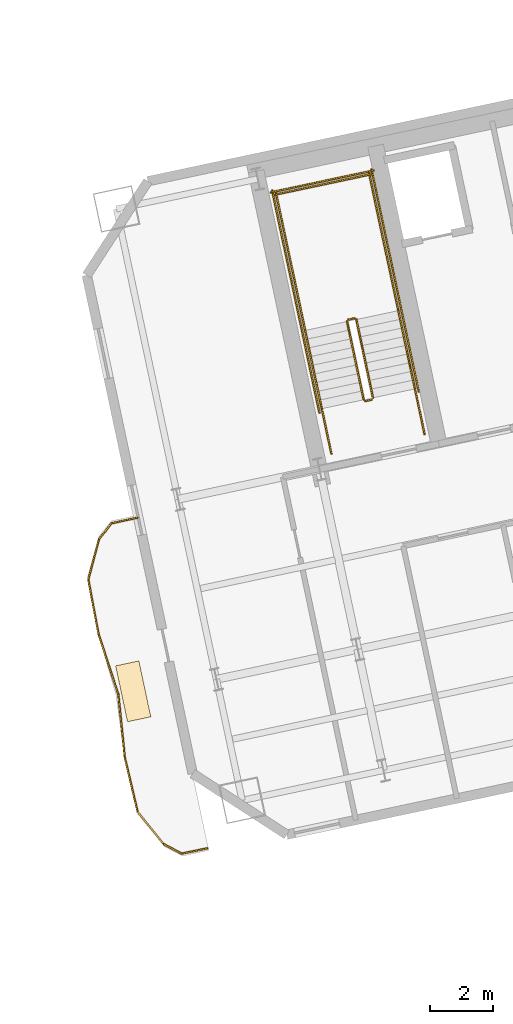
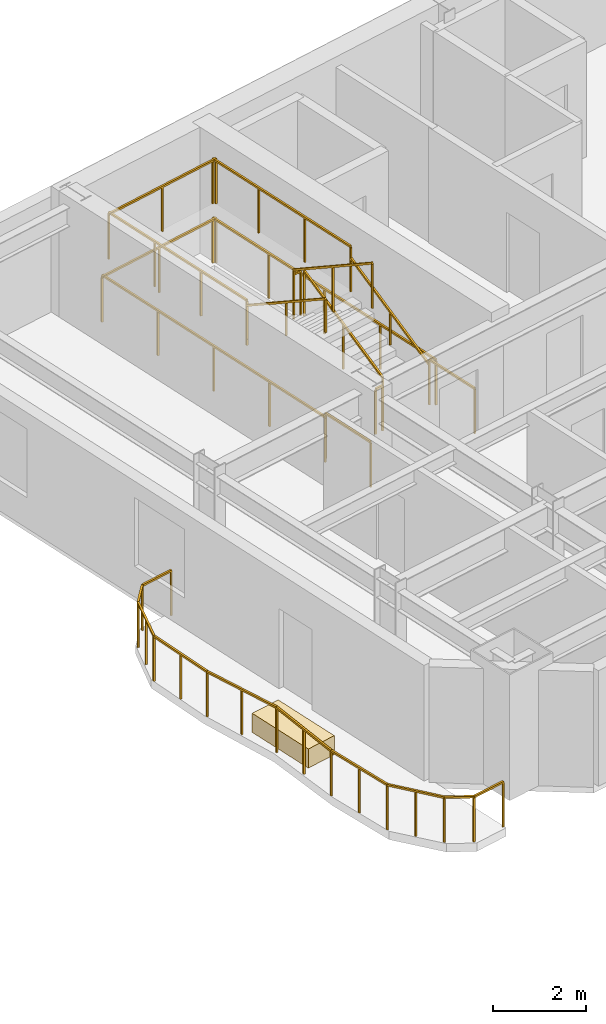
# One storey, part 12 of 13: 24 railings, 1 covering.
"""IFC4 building model written with IfcOpenShell, lengths in metres."""

from ifc_helpers import new_model, si_unit, direction, frame, origin, origin_2d, place, context, subcontext, project, spatial, rectangle, extrude, material, layer, layer_set, type_object, element, save


model = new_model("IFC4")

# Units and contexts
model_context = context("Model", 3, precision=1e-05, world=origin(), true_north=direction((0.0, 1.0)))
body_context = subcontext(model_context, "Body", "Model", "MODEL_VIEW")
ifc_project = project(units=[si_unit("LENGTHUNIT", "METRE"), si_unit("AREAUNIT", "SQUARE_METRE"), si_unit("VOLUMEUNIT", "CUBIC_METRE"), si_unit("PLANEANGLEUNIT", "RADIAN"), si_unit("MASSUNIT", "GRAM", prefix="KILO")], contexts=[model_context])

# Site, building, storey
site_placement = place(None, origin())
site = spatial("IfcSite", under=ifc_project, at=site_placement, CompositionType="ELEMENT")
building_placement = place(site_placement, origin())
building = spatial("IfcBuilding", under=site, at=building_placement, Name="Haevon Station Towers", CompositionType="ELEMENT")
storey_placement = place(building_placement, frame((0.0, 0.0, 149.39990234375)))
storey = spatial("IfcBuildingStorey", under=building, at=storey_placement, Name="L40", CompositionType="ELEMENT", Elevation=149.39990234375)

# Railings
ifc_material_1 = material(Name="Steel S355", Category="steel")
railing_type_1 = type_object("IfcRailingType", Name="GRD-EXT1200", PredefinedType="GUARDRAIL", material=ifc_material_1)
railing_1_placement = place(storey_placement, frame((93.021240234375, 35.91455078125, 0.0)))
element("IfcRailing", 1, at=railing_1_placement, inside=storey, type_object=railing_type_1, Name="L40 Perimeter Guardrail 1", PredefinedType="GUARDRAIL", context=body_context, shape_type="SweptSolid", body=[
    extrude(rectangle(XDim=0.048095703125, YDim=0.048095703125, at=origin_2d()), frame((0.0, 0.0, 1.17578125), z_axis=(-0.977691431104, -0.210046341426, 0.0), x_axis=(0.210046341426, -0.977691431104, 0.0)), (0.0, 0.0, 1.0), 0.838134765625),
    extrude(rectangle(XDim=0.0419921875, YDim=0.0419921875, at=origin_2d()), origin(), (0.0, 0.0, 1.0), 1.15185546875),
    extrude(rectangle(XDim=0.0419921875, YDim=0.0419921875, at=origin_2d()), frame((-0.8193359375, -0.176025390625, 0.0)), (0.0, 0.0, 1.0), 1.15185546875),
])
railing_2_placement = place(storey_placement, frame((92.201904296875, 35.738525390625, 0.0)))
element("IfcRailing", 2, at=railing_2_placement, inside=storey, type_object=railing_type_1, Name="L40 Perimeter Guardrail 2", PredefinedType="GUARDRAIL", context=body_context, shape_type="SweptSolid", body=[
    extrude(rectangle(XDim=0.048095703125, YDim=0.048095703125, at=origin_2d()), frame((0.0, 0.0, 1.17578125), z_axis=(-0.615866023328, -0.787850900431, 0.0), x_axis=(0.787850900431, -0.615866023328, 0.0)), (0.0, 0.0, 1.0), 0.64013671875),
    extrude(rectangle(XDim=0.0419921875, YDim=0.0419921875, at=origin_2d()), origin(), (0.0, 0.0, 1.0), 1.15185546875),
    extrude(rectangle(XDim=0.0419921875, YDim=0.0419921875, at=origin_2d()), frame((-0.394287109375, -0.50439453125, 0.0)), (0.0, 0.0, 1.0), 1.15185546875),
])
railing_3_placement = place(storey_placement, frame((91.8076171875, 35.234130859375, 0.0)))
element("IfcRailing", 3, at=railing_3_placement, inside=storey, type_object=railing_type_1, Name="L40 Perimeter Guardrail 3", PredefinedType="GUARDRAIL", context=body_context, shape_type="SweptSolid", body=[
    extrude(rectangle(XDim=0.048095703125, YDim=0.048095703125, at=origin_2d()), frame((0.0, 0.0, 1.17578125), z_axis=(-0.256967200825, -0.966420124842, 0.0), x_axis=(0.966420124842, -0.256967200825, 0.0)), (0.0, 0.0, 1.0), 1.31103515625),
    extrude(rectangle(XDim=0.0419921875, YDim=0.0419921875, at=origin_2d()), origin(), (0.0, 0.0, 1.0), 1.15185546875),
    extrude(rectangle(XDim=0.0419921875, YDim=0.0419921875, at=origin_2d()), frame((-0.16845703125, -0.633544921875, 0.0)), (0.0, 0.0, 1.0), 1.15185546875),
    extrude(rectangle(XDim=0.0419921875, YDim=0.0419921875, at=origin_2d()), frame((-0.3369140625, -1.26708984375, 0.0)), (0.0, 0.0, 1.0), 1.15185546875),
])
railing_4_placement = place(storey_placement, frame((91.470703125, 33.967041015625, 0.0)))
element("IfcRailing", 4, at=railing_4_placement, inside=storey, type_object=railing_type_1, Name="L40 Perimeter Guardrail 4", PredefinedType="GUARDRAIL", context=body_context, shape_type="SweptSolid", body=[
    extrude(rectangle(XDim=0.048095703125, YDim=0.048095703125, at=origin_2d()), frame((0.0, 0.0, 1.17578125), z_axis=(0.184962759631, -0.982745530415, 0.0), x_axis=(0.982745530415, 0.184962759631, 0.0)), (0.0, 0.0, 1.0), 1.7490234375),
    extrude(rectangle(XDim=0.0419921875, YDim=0.0419921875, at=origin_2d()), origin(), (0.0, 0.0, 1.0), 1.15185546875),
    extrude(rectangle(XDim=0.0419921875, YDim=0.0419921875, at=origin_2d()), frame((0.16162109375, -0.859375, 0.0)), (0.0, 0.0, 1.0), 1.15185546875),
    extrude(rectangle(XDim=0.0419921875, YDim=0.0419921875, at=origin_2d()), frame((0.323486328125, -1.71875, 0.0)), (0.0, 0.0, 1.0), 1.15185546875),
])
railing_5_placement = place(storey_placement, frame((91.794189453125, 32.248291015625, 0.0)))
element("IfcRailing", 5, at=railing_5_placement, inside=storey, type_object=railing_type_1, Name="L40 Perimeter Guardrail 5", PredefinedType="GUARDRAIL", context=body_context, shape_type="SweptSolid", body=[
    extrude(rectangle(XDim=0.048095703125, YDim=0.048095703125, at=origin_2d()), frame((0.0, 0.0, 1.17578125), z_axis=(0.31161563474, -0.950208238328, 0.0), x_axis=(0.950208238328, 0.31161563474, 0.0)), (0.0, 0.0, 1.0), 2.00244140625),
    extrude(rectangle(XDim=0.0419921875, YDim=0.0419921875, at=origin_2d()), origin(), (0.0, 0.0, 1.0), 1.15185546875),
    extrude(rectangle(XDim=0.0419921875, YDim=0.0419921875, at=origin_2d()), frame((0.31201171875, -0.951416015625, 0.0)), (0.0, 0.0, 1.0), 1.15185546875),
    extrude(rectangle(XDim=0.0419921875, YDim=0.0419921875, at=origin_2d()), frame((0.6240234375, -1.90283203125, 0.0)), (0.0, 0.0, 1.0), 1.15185546875),
])
railing_6_placement = place(storey_placement, frame((92.418212890625, 30.345458984375, 0.0)))
element("IfcRailing", 6, at=railing_6_placement, inside=storey, type_object=railing_type_1, Name="L40 Perimeter Guardrail 6", PredefinedType="GUARDRAIL", context=body_context, shape_type="SweptSolid", body=[
    extrude(rectangle(XDim=0.048095703125, YDim=0.048095703125, at=origin_2d()), frame((0.0, 0.0, 1.17578125), z_axis=(0.101796856362, -0.994805207081, 0.0), x_axis=(0.994805207081, 0.101796856362, 0.0)), (0.0, 0.0, 1.0), 2.002685546875),
    extrude(rectangle(XDim=0.0419921875, YDim=0.0419921875, at=origin_2d()), origin(), (0.0, 0.0, 1.0), 1.15185546875),
    extrude(rectangle(XDim=0.0419921875, YDim=0.0419921875, at=origin_2d()), frame((0.10205078125, -0.99609375, 0.0)), (0.0, 0.0, 1.0), 1.15185546875),
    extrude(rectangle(XDim=0.0419921875, YDim=0.0419921875, at=origin_2d()), frame((0.203857421875, -1.9921875, 0.0)), (0.0, 0.0, 1.0), 1.15185546875),
])
railing_7_placement = place(storey_placement, frame((92.6220703125, 28.353271484375, 0.0)))
element("IfcRailing", 7, at=railing_7_placement, inside=storey, type_object=railing_type_1, Name="L40 Perimeter Guardrail 7", PredefinedType="GUARDRAIL", context=body_context, shape_type="SweptSolid", body=[
    extrude(rectangle(XDim=0.048095703125, YDim=0.048095703125, at=origin_2d()), frame((0.0, 0.0, 1.17578125), z_axis=(0.230727231711, -0.973018470815, 0.0), x_axis=(0.973018470815, 0.230727231711, 0.0)), (0.0, 0.0, 1.0), 1.7490234375),
    extrude(rectangle(XDim=0.0419921875, YDim=0.0419921875, at=origin_2d()), origin(), (0.0, 0.0, 1.0), 1.15185546875),
    extrude(rectangle(XDim=0.0419921875, YDim=0.0419921875, at=origin_2d()), frame((0.20166015625, -0.85107421875, 0.0)), (0.0, 0.0, 1.0), 1.15185546875),
    extrude(rectangle(XDim=0.0419921875, YDim=0.0419921875, at=origin_2d()), frame((0.403564453125, -1.701904296875, 0.0)), (0.0, 0.0, 1.0), 1.15185546875),
])
railing_8_placement = place(storey_placement, frame((93.025634765625, 26.6513671875, 0.0)))
element("IfcRailing", 8, at=railing_8_placement, inside=storey, type_object=railing_type_1, Name="L40 Perimeter Guardrail 8", PredefinedType="GUARDRAIL", context=body_context, shape_type="SweptSolid", body=[
    extrude(rectangle(XDim=0.048095703125, YDim=0.048095703125, at=origin_2d()), frame((0.0, 0.0, 1.17578125), z_axis=(0.62786890768, -0.778319108572, 0.0), x_axis=(0.778319108572, 0.62786890768, 0.0)), (0.0, 0.0, 1.0), 1.311279296875),
    extrude(rectangle(XDim=0.0419921875, YDim=0.0419921875, at=origin_2d()), origin(), (0.0, 0.0, 1.0), 1.15185546875),
    extrude(rectangle(XDim=0.0419921875, YDim=0.0419921875, at=origin_2d()), frame((0.41162109375, -0.51025390625, 0.0)), (0.0, 0.0, 1.0), 1.15185546875),
    extrude(rectangle(XDim=0.0419921875, YDim=0.0419921875, at=origin_2d()), frame((0.8232421875, -1.0205078125, 0.0)), (0.0, 0.0, 1.0), 1.15185546875),
])
railing_9_placement = place(storey_placement, frame((93.848876953125, 25.630859375, 0.0)))
element("IfcRailing", 9, at=railing_9_placement, inside=storey, type_object=railing_type_1, Name="L40 Perimeter Guardrail 9", PredefinedType="GUARDRAIL", context=body_context, shape_type="SweptSolid", body=[
    extrude(rectangle(XDim=0.048095703125, YDim=0.048095703125, at=origin_2d()), frame((0.0, 0.0, 1.17578125), z_axis=(0.883174960407, -0.469043696589, 0.0), x_axis=(0.469043696589, 0.883174960407, 0.0)), (0.0, 0.0, 1.0), 0.64013671875),
    extrude(rectangle(XDim=0.0419921875, YDim=0.0419921875, at=origin_2d()), origin(), (0.0, 0.0, 1.0), 1.15185546875),
    extrude(rectangle(XDim=0.0419921875, YDim=0.0419921875, at=origin_2d()), frame((0.5654296875, -0.30029296875, 0.0)), (0.0, 0.0, 1.0), 1.15185546875),
])
railing_10_placement = place(storey_placement, frame((94.414306640625, 25.33056640625, 0.0)))
element("IfcRailing", 10, at=railing_10_placement, inside=storey, type_object=railing_type_1, Name="L40 Perimeter Guardrail 10", PredefinedType="GUARDRAIL", context=body_context, shape_type="SweptSolid", body=[
    extrude(rectangle(XDim=0.048095703125, YDim=0.048095703125, at=origin_2d()), frame((0.0, 0.0, 1.17578125), z_axis=(0.978617737227, 0.20568744343, 0.0), x_axis=(-0.20568744343, 0.978617737227, 0.0)), (0.0, 0.0, 1.0), 0.837890625),
    extrude(rectangle(XDim=0.0419921875, YDim=0.0419921875, at=origin_2d()), origin(), (0.0, 0.0, 1.0), 1.15185546875),
    extrude(rectangle(XDim=0.0419921875, YDim=0.0419921875, at=origin_2d()), frame((0.820068359375, 0.17236328125, 0.0)), (0.0, 0.0, 1.0), 1.15185546875),
])
railing_type_2 = type_object("IfcRailingType", Name="GRD-STR1200", PredefinedType="GUARDRAIL", material=ifc_material_1)
railing_11_placement = place(storey_placement, frame((100.44140625, 39.69287109375, 0.1650390625)))
element("IfcRailing", 11, at=railing_11_placement, inside=storey, type_object=railing_type_2, Name="L40 ST3 Stair Guard 1", PredefinedType="GUARDRAIL", context=body_context, shape_type="SweptSolid", body=[
    extrude(rectangle(XDim=0.048095703125, YDim=0.048095703125, at=origin_2d()), frame((0.0, 0.0, 1.17578125), z_axis=(-0.179121265225, 0.842687928106, 0.507732831485), x_axis=(-0.978147030254, -0.207914374695, 0.0)), (0.0, 0.0, 1.0), 2.925048828125),
    extrude(rectangle(XDim=0.0419921875, YDim=0.0419921875, at=origin_2d()), origin(), (0.0, 0.0, 1.0), 1.15185546875),
    extrude(rectangle(XDim=0.0419921875, YDim=0.0419921875, at=origin_2d()), frame((-0.261962890625, 1.232421875, 0.74267578125)), (0.0, 0.0, 1.0), 1.15185546875),
    extrude(rectangle(XDim=0.0419921875, YDim=0.0419921875, at=origin_2d()), frame((-0.52392578125, 2.46484375, 1.485107421875)), (0.0, 0.0, 1.0), 1.15185546875),
])
railing_12_placement = place(storey_placement, frame((99.858154296875, 42.1962890625, 1.650146484375)))
element("IfcRailing", 12, at=railing_12_placement, inside=storey, type_object=railing_type_2, Name="L40 ST3 Stair Guard 2", PredefinedType="GUARDRAIL", context=body_context, shape_type="SweptSolid", body=[
    extrude(rectangle(XDim=0.048095703125, YDim=0.048095703125, at=origin_2d()), frame((0.0, 0.0, 1.17578125), z_axis=(-0.977962931203, -0.208778603291, 0.0), x_axis=(0.208778603291, -0.977962931203, 0.0)), (0.0, 0.0, 1.0), 0.199951171875),
    extrude(rectangle(XDim=0.0419921875, YDim=0.0419921875, at=origin_2d()), origin(), (0.0, 0.0, 1.0), 1.15185546875),
    extrude(rectangle(XDim=0.0419921875, YDim=0.0419921875, at=origin_2d()), frame((-0.195556640625, -0.041748046875, 0.0)), (0.0, 0.0, 1.0), 1.15185546875),
])
railing_13_placement = place(storey_placement, frame((101.238037109375, 42.4384765625, 1.650146484375)))
element("IfcRailing", 13, at=railing_13_placement, inside=storey, type_object=railing_type_2, Name="L40 ST3 Stair Guard 3", PredefinedType="GUARDRAIL", context=body_context, shape_type="SweptSolid", body=[
    extrude(rectangle(XDim=0.048095703125, YDim=0.048095703125, at=origin_2d()), frame((0.0, 0.0, 1.17578125), z_axis=(-0.20794048909, 0.978141479029, 0.0), x_axis=(-0.978141479029, -0.20794048909, 0.0)), (0.0, 0.0, 1.0), 4.429931640625),
    extrude(rectangle(XDim=0.0419921875, YDim=0.0419921875, at=origin_2d()), origin(), (0.0, 0.0, 1.0), 1.15185546875),
    extrude(rectangle(XDim=0.0419921875, YDim=0.0419921875, at=origin_2d()), frame((-0.30712890625, 1.4443359375, 0.0)), (0.0, 0.0, 1.0), 1.15185546875),
    extrude(rectangle(XDim=0.0419921875, YDim=0.0419921875, at=origin_2d()), frame((-0.614013671875, 2.888671875, 0.0)), (0.0, 0.0, 1.0), 1.15185546875),
    extrude(rectangle(XDim=0.0419921875, YDim=0.0419921875, at=origin_2d()), frame((-0.921142578125, 4.3330078125, 0.0)), (0.0, 0.0, 1.0), 1.15185546875),
])
railing_14_placement = place(storey_placement, frame((98.303466796875, 41.814697265625, 1.650146484375)))
element("IfcRailing", 14, at=railing_14_placement, inside=storey, type_object=railing_type_2, Name="L40 ST3 Stair Guard 4", PredefinedType="GUARDRAIL", context=body_context, shape_type="SweptSolid", body=[
    extrude(rectangle(XDim=0.048095703125, YDim=0.048095703125, at=origin_2d()), frame((0.0, 0.0, 1.17578125), z_axis=(-0.207876551949, 0.978155069071, 0.0), x_axis=(-0.978155069071, -0.207876551949, 0.0)), (0.0, 0.0, 1.0), 4.429931640625),
    extrude(rectangle(XDim=0.0419921875, YDim=0.0419921875, at=origin_2d()), origin(), (0.0, 0.0, 1.0), 1.15185546875),
    extrude(rectangle(XDim=0.0419921875, YDim=0.0419921875, at=origin_2d()), frame((-0.306884765625, 1.4443359375, 0.0)), (0.0, 0.0, 1.0), 1.15185546875),
    extrude(rectangle(XDim=0.0419921875, YDim=0.0419921875, at=origin_2d()), frame((-0.614013671875, 2.888916015625, 0.0)), (0.0, 0.0, 1.0), 1.15185546875),
    extrude(rectangle(XDim=0.0419921875, YDim=0.0419921875, at=origin_2d()), frame((-0.9208984375, 4.333251953125, 0.0)), (0.0, 0.0, 1.0), 1.15185546875),
])
railing_15_placement = place(storey_placement, frame((100.376220703125, 46.733154296875, 1.650146484375)))
element("IfcRailing", 15, at=railing_15_placement, inside=storey, type_object=railing_type_2, Name="L40 ST3 Stair Guard 5", PredefinedType="GUARDRAIL", context=body_context, shape_type="SweptSolid", body=[
    extrude(rectangle(XDim=0.048095703125, YDim=0.048095703125, at=origin_2d()), frame((0.0, 0.0, 1.17578125), z_axis=(-0.978146839882, -0.207915270313, 0.0), x_axis=(0.207915270313, -0.978146839882, 0.0)), (0.0, 0.0, 1.0), 3.099853515625),
    extrude(rectangle(XDim=0.0419921875, YDim=0.0419921875, at=origin_2d()), origin(), (0.0, 0.0, 1.0), 1.15185546875),
    extrude(rectangle(XDim=0.0419921875, YDim=0.0419921875, at=origin_2d()), frame((-1.51611328125, -0.322265625, 0.0)), (0.0, 0.0, 1.0), 1.15185546875),
    extrude(rectangle(XDim=0.0419921875, YDim=0.0419921875, at=origin_2d()), frame((-3.0322265625, -0.64453125, 0.0)), (0.0, 0.0, 1.0), 1.15185546875),
])
railing_16_placement = place(storey_placement, frame((99.6240234375, 42.09521484375, 1.815185546875)))
element("IfcRailing", 16, at=railing_16_placement, inside=storey, type_object=railing_type_2, Name="L40 ST3 Stair Guard 6", PredefinedType="GUARDRAIL", context=body_context, shape_type="SweptSolid", body=[
    extrude(rectangle(XDim=0.048095703125, YDim=0.048095703125, at=origin_2d()), frame((0.0, 0.0, 1.17578125), z_axis=(0.179128856099, -0.842723639875, 0.507670877349), x_axis=(0.978147030254, 0.207914374695, 0.0)), (0.0, 0.0, 1.0), 2.9248046875),
    extrude(rectangle(XDim=0.0419921875, YDim=0.0419921875, at=origin_2d()), origin(), (0.0, 0.0, 1.0), 1.15185546875),
    extrude(rectangle(XDim=0.0419921875, YDim=0.0419921875, at=origin_2d()), frame((0.261962890625, -1.232421875, 0.742431640625)), (0.0, 0.0, 1.0), 1.15185546875),
    extrude(rectangle(XDim=0.0419921875, YDim=0.0419921875, at=origin_2d()), frame((0.52392578125, -2.46484375, 1.48486328125)), (0.0, 0.0, 1.0), 1.15185546875),
])
railing_17_placement = place(storey_placement, frame((100.40283203125, 39.633544921875, 0.0)))
element("IfcRailing", 17, at=railing_17_placement, inside=storey, type_object=railing_type_2, Name="L40 ST3 Stair Guard 7", PredefinedType="GUARDRAIL", context=body_context, shape_type="SweptSolid", body=[
    extrude(rectangle(XDim=0.048095703125, YDim=0.048095703125, at=origin_2d()), frame((0.0, 0.0, 1.17578125), z_axis=(-0.977962931203, -0.208778603291, 0.0), x_axis=(0.208778603291, -0.977962931203, 0.0)), (0.0, 0.0, 1.0), 0.199951171875),
    extrude(rectangle(XDim=0.0419921875, YDim=0.0419921875, at=origin_2d()), origin(), (0.0, 0.0, 1.0), 1.15185546875),
    extrude(rectangle(XDim=0.0419921875, YDim=0.0419921875, at=origin_2d()), frame((-0.195556640625, -0.041748046875, 0.0)), (0.0, 0.0, 1.0), 1.15185546875),
])
for number, where, name in (
    (18, (102.0634765625, 38.55517578125, 0.0), "L40 ST3 Stair Guard 8"),
    (19, (99.12890625, 37.931396484375, 0.0), "L40 ST3 Stair Guard 9"),
):
    element("IfcRailing", number, at=place(storey_placement, frame(where)), inside=storey, type_object=railing_type_2, Name=name, PredefinedType="GUARDRAIL", context=body_context, shape_type="SweptSolid", body=[
        extrude(rectangle(XDim=0.048095703125, YDim=0.048095703125, at=origin_2d()), frame((0.0, 0.0, 1.17578125), z_axis=(-0.207953405961, 0.978138732977, 0.0), x_axis=(-0.978138732977, -0.207953405961, 0.0)), (0.0, 0.0, 1.0), 1.449951171875),
        extrude(rectangle(XDim=0.0419921875, YDim=0.0419921875, at=origin_2d()), origin(), (0.0, 0.0, 1.0), 1.15185546875),
        extrude(rectangle(XDim=0.0419921875, YDim=0.0419921875, at=origin_2d()), frame((-0.301513671875, 1.418212890625, 0.0)), (0.0, 0.0, 1.0), 1.15185546875),
    ])
railing_18_placement = place(storey_placement, frame((101.88037109375, 39.896484375, 0.0)))
element("IfcRailing", 20, at=railing_18_placement, inside=storey, type_object=railing_type_2, Name="L40 ST3 Stair Guard 10", PredefinedType="GUARDRAIL", context=body_context, shape_type="SweptSolid", body=[
    extrude(rectangle(XDim=0.048095703125, YDim=0.048095703125, at=origin_2d()), frame((0.0, 0.0, 1.17578125), z_axis=(-0.207882442208, 0.978153817261, 0.0), x_axis=(-0.978153817261, -0.207882442208, 0.0)), (0.0, 0.0, 1.0), 7.14990234375),
    extrude(rectangle(XDim=0.0419921875, YDim=0.0419921875, at=origin_2d()), origin(), (0.0, 0.0, 1.0), 1.15185546875),
    extrude(rectangle(XDim=0.0419921875, YDim=0.0419921875, at=origin_2d()), frame((-0.37158203125, 1.74853515625, 0.0)), (0.0, 0.0, 1.0), 1.15185546875),
    extrude(rectangle(XDim=0.0419921875, YDim=0.0419921875, at=origin_2d()), frame((-0.7431640625, 3.496826171875, 0.0)), (0.0, 0.0, 1.0), 1.15185546875),
    extrude(rectangle(XDim=0.0419921875, YDim=0.0419921875, at=origin_2d()), frame((-1.11474609375, 5.2451171875, 0.0)), (0.0, 0.0, 1.0), 1.15185546875),
    extrude(rectangle(XDim=0.0419921875, YDim=0.0419921875, at=origin_2d()), frame((-1.486328125, 6.99365234375, 0.0)), (0.0, 0.0, 1.0), 1.15185546875),
])
railing_19_placement = place(storey_placement, frame((98.75048828125, 39.231201171875, 0.0)))
element("IfcRailing", 21, at=railing_19_placement, inside=storey, type_object=railing_type_2, Name="L40 ST3 Stair Guard 11", PredefinedType="GUARDRAIL", context=body_context, shape_type="SweptSolid", body=[
    extrude(rectangle(XDim=0.048095703125, YDim=0.048095703125, at=origin_2d()), frame((0.0, 0.0, 1.17578125), z_axis=(-0.207915112487, 0.978146873429, 0.0), x_axis=(-0.978146873429, -0.207915112487, 0.0)), (0.0, 0.0, 1.0), 7.14990234375),
    extrude(rectangle(XDim=0.0419921875, YDim=0.0419921875, at=origin_2d()), origin(), (0.0, 0.0, 1.0), 1.15185546875),
    extrude(rectangle(XDim=0.0419921875, YDim=0.0419921875, at=origin_2d()), frame((-0.37158203125, 1.74853515625, 0.0)), (0.0, 0.0, 1.0), 1.15185546875),
    extrude(rectangle(XDim=0.0419921875, YDim=0.0419921875, at=origin_2d()), frame((-0.7431640625, 3.496826171875, 0.0)), (0.0, 0.0, 1.0), 1.15185546875),
    extrude(rectangle(XDim=0.0419921875, YDim=0.0419921875, at=origin_2d()), frame((-1.114990234375, 5.2451171875, 0.0)), (0.0, 0.0, 1.0), 1.15185546875),
    extrude(rectangle(XDim=0.0419921875, YDim=0.0419921875, at=origin_2d()), frame((-1.486572265625, 6.99365234375, 0.0)), (0.0, 0.0, 1.0), 1.15185546875),
])
railing_20_placement = place(storey_placement, frame((100.453125, 46.8515625, 0.0)))
element("IfcRailing", 22, at=railing_20_placement, inside=storey, type_object=railing_type_2, Name="L40 ST3 Stair Guard 12", PredefinedType="GUARDRAIL", context=body_context, shape_type="SweptSolid", body=[
    extrude(rectangle(XDim=0.048095703125, YDim=0.048095703125, at=origin_2d()), frame((0.0, 0.0, 1.17578125), z_axis=(-0.978150764849, -0.207896804268, 0.0), x_axis=(0.207896804268, -0.978150764849, 0.0)), (0.0, 0.0, 1.0), 3.2998046875),
    extrude(rectangle(XDim=0.0419921875, YDim=0.0419921875, at=origin_2d()), origin(), (0.0, 0.0, 1.0), 1.15185546875),
    extrude(rectangle(XDim=0.0419921875, YDim=0.0419921875, at=origin_2d()), frame((-1.61376953125, -0.343017578125, 0.0)), (0.0, 0.0, 1.0), 1.15185546875),
    extrude(rectangle(XDim=0.0419921875, YDim=0.0419921875, at=origin_2d()), frame((-3.227783203125, -0.68603515625, 0.0)), (0.0, 0.0, 1.0), 1.15185546875),
])
railing_type_3 = type_object("IfcRailingType", Name="HND-STR900", PredefinedType="HANDRAIL", material=ifc_material_1)
railing_21_placement = place(storey_placement, frame((101.761962890625, 39.973388671875, 0.1650390625)))
element("IfcRailing", 23, at=railing_21_placement, inside=storey, type_object=railing_type_3, Name="L40 ST3 Stair Handrail 1", PredefinedType="HANDRAIL", context=body_context, shape_type="SweptSolid", body=[
    extrude(rectangle(XDim=0.048095703125, YDim=0.048095703125, at=origin_2d()), frame((0.0, 0.0, 0.8759765625), z_axis=(-0.179108667068, 0.842712120868, 0.50769712105), x_axis=(-0.978151217824, -0.207894673017, 0.0)), (0.0, 0.0, 1.0), 2.92529296875),
    extrude(rectangle(XDim=0.0419921875, YDim=0.0419921875, at=origin_2d()), origin(), (0.0, 0.0, 1.0), 0.851806640625),
    extrude(rectangle(XDim=0.0419921875, YDim=0.0419921875, at=origin_2d()), frame((-0.261962890625, 1.232421875, 0.74267578125)), (0.0, 0.0, 1.0), 0.851806640625),
    extrude(rectangle(XDim=0.0419921875, YDim=0.0419921875, at=origin_2d()), frame((-0.52392578125, 2.465087890625, 1.485107421875)), (0.0, 0.0, 1.0), 0.851806640625),
])
railing_22_placement = place(storey_placement, frame((98.303466796875, 41.814697265625, 1.815185546875)))
element("IfcRailing", 24, at=railing_22_placement, inside=storey, type_object=railing_type_3, Name="L40 ST3 Stair Handrail 2", PredefinedType="HANDRAIL", context=body_context, shape_type="SweptSolid", body=[
    extrude(rectangle(XDim=0.048095703125, YDim=0.048095703125, at=origin_2d()), frame((0.0, 0.0, 0.8759765625), z_axis=(0.179116256339, -0.842747828638, 0.507635168246), x_axis=(0.978151217824, 0.207894673017, 0.0)), (0.0, 0.0, 1.0), 2.925048828125),
    extrude(rectangle(XDim=0.0419921875, YDim=0.0419921875, at=origin_2d()), origin(), (0.0, 0.0, 1.0), 0.851806640625),
    extrude(rectangle(XDim=0.0419921875, YDim=0.0419921875, at=origin_2d()), frame((0.261962890625, -1.232421875, 0.742431640625)), (0.0, 0.0, 1.0), 0.851806640625),
    extrude(rectangle(XDim=0.0419921875, YDim=0.0419921875, at=origin_2d()), frame((0.52392578125, -2.465087890625, 1.48486328125)), (0.0, 0.0, 1.0), 0.851806640625),
])

# Covering
ifc_material_2 = material(Name="Architectural planter GRC", Category="concrete")
ifc_layer = layer(ifc_material_2, 0.550048828125)
ifc_layer_set = layer_set([ifc_layer], Name="Architectural planter GRC")
covering_type = type_object("IfcCoveringType", Name="PLN-GRC550", PredefinedType="MOLDING", material=ifc_layer_set)
covering_placement = place(storey_placement, frame((92.88623046875, 30.44482421875, 0.0), z_axis=(0.0, 0.0, 1.0), x_axis=(0.978147600734, 0.207911690818, 0.0)))
element("IfcCovering", 25, at=covering_placement, inside=storey, type_object=covering_type, Name="Tower 2 L40 Scalloped Balcony PLANTER", PredefinedType="MOLDING", context=body_context, shape_type="SweptSolid", body=[
    extrude(rectangle(XDim=0.75, YDim=1.800048828125, at=origin_2d()), origin(), (0.0, 0.0, 1.0), 0.5),
])

save(model, "model.ifc")
